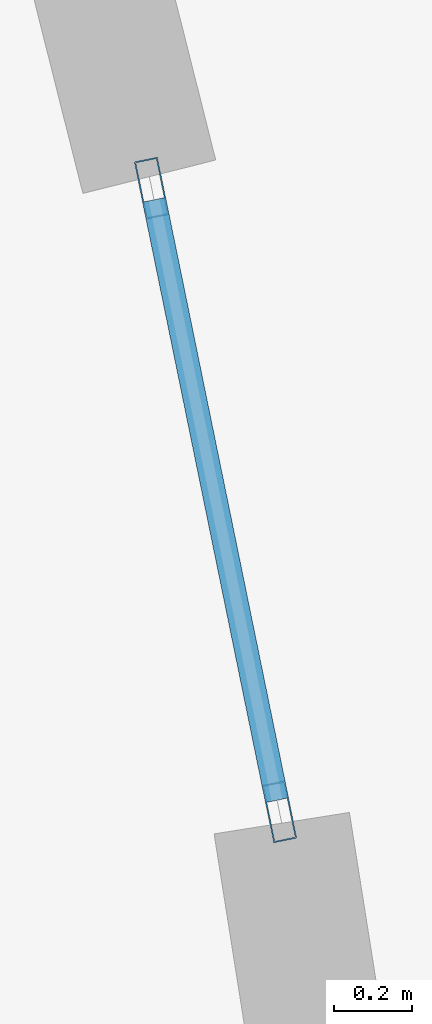
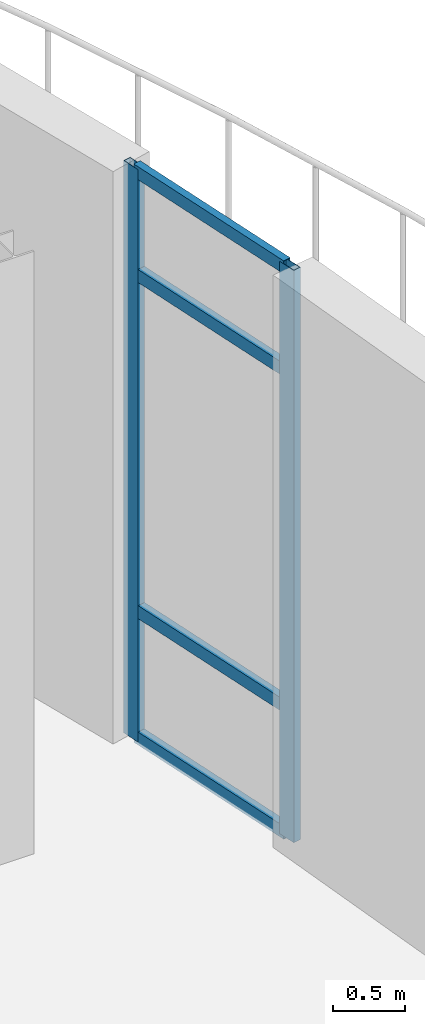
# One storey, part 28 of 57: 6 members, 1 element without a shape of its own.
"""IFC4 building model written with IfcOpenShell, lengths in metres."""

from ifc_helpers import new_model, si_unit, direction, frame, origin, origin_2d, place, context, subcontext, project, spatial, hollow_rectangle, extrude, material, layer, layer_set, material_profile, profile_set, type_object, element, aggregate, save


model = new_model("IFC4")

# Units and contexts
model_context = context("Model", 3, precision=1e-05, world=origin(), true_north=direction((0.0, 1.0)))
body_context = subcontext(model_context, "Body", "Model", "MODEL_VIEW")
ifc_project = project(units=[si_unit("LENGTHUNIT", "METRE"), si_unit("AREAUNIT", "SQUARE_METRE"), si_unit("VOLUMEUNIT", "CUBIC_METRE"), si_unit("PLANEANGLEUNIT", "RADIAN"), si_unit("MASSUNIT", "GRAM", prefix="KILO"), si_unit("THERMODYNAMICTEMPERATUREUNIT", "KELVIN")], contexts=[model_context])

# Site, building, storey
site_placement = place(None, origin())
site = spatial("IfcSite", under=ifc_project, at=site_placement, CompositionType="ELEMENT")
building_placement = place(site_placement, origin())
building = spatial("IfcBuilding", under=site, at=building_placement, Name="Lustrewick Department Store", CompositionType="ELEMENT")
storey_placement = place(building_placement, frame((0.0, 0.0, 26.699951171875)))
storey = spatial("IfcBuildingStorey", under=building, at=storey_placement, Name="L06", CompositionType="ELEMENT", Elevation=26.699951171875)

# Curtain wall, members
ifc_material = material(Name="Thermally broken aluminium 6063-T5", Category="aluminium")
ifc_layer = layer(ifc_material, 0.14990234375, Name="Thermally broken aluminium 6063-T5")
ifc_layer_set = layer_set([ifc_layer], Name="Thermally broken aluminium 6063-T5")
curtain_wall_type = type_object("IfcCurtainWallType", Name="CW14", PredefinedType="NOTDEFINED", material=ifc_layer_set)
curtain_wall_placement = place(storey_placement, origin())
curtain_wall = element("IfcCurtainWall", 1, at=curtain_wall_placement, inside=storey, type_object=curtain_wall_type, Name="L06 V4 Curtain Wall CW14", PredefinedType="NOTDEFINED")
ifc_material_profile_1 = material_profile(ifc_material, hollow_rectangle(XDim=0.06005859375, YDim=0.14990234375, WallThickness=0.00341796875, at=origin_2d()), Name="ALU-M 60x150x3.5")
ifc_profile_set_1 = profile_set([ifc_material_profile_1], Name="Thermally broken aluminium 6063-T5")
member_type_1 = type_object("IfcMemberType", Name="CW14-M1", PredefinedType="MULLION", material=ifc_profile_set_1)
member_1_placement = place(storey_placement, frame((152.98974609375, 66.343017578125, 0.0), z_axis=(0.0, 0.0, 1.0), x_axis=(-0.979672336198, -0.200604371061, 0.0)))
member_1 = element("IfcMember", 2, at=member_1_placement, type_object=member_type_1, Name="CW14 mullion 1", PredefinedType="MULLION", context=body_context, shape_type="SweptSolid", body=[
    extrude(hollow_rectangle(XDim=0.06005859375, YDim=0.14990234375, WallThickness=0.00341796875, at=origin_2d()), origin(), (0.0, 0.0, 1.0), 4.844970703125),
])
member_2_placement = place(storey_placement, frame((152.663330078125, 67.9375, 0.0), z_axis=(0.0, 0.0, 1.0), x_axis=(-0.979672336198, -0.200604371061, 0.0)))
member_2 = element("IfcMember", 3, at=member_2_placement, type_object=member_type_1, Name="CW14 mullion 2", PredefinedType="MULLION", context=body_context, shape_type="SweptSolid", body=[
    extrude(hollow_rectangle(XDim=0.06005859375, YDim=0.14990234375, WallThickness=0.00341796875, at=origin_2d()), origin(), (0.0, 0.0, 1.0), 4.844970703125),
])
ifc_material_profile_2 = material_profile(ifc_material, hollow_rectangle(XDim=0.06005859375, YDim=0.110107421875, WallThickness=0.0029296875, at=origin_2d()), Name="ALU-T 60x110x3")
ifc_profile_set_2 = profile_set([ifc_material_profile_2], Name="Thermally broken aluminium 6063-T5")
member_type_2 = type_object("IfcMemberType", Name="CW14-T1", PredefinedType="USERDEFINED", material=ifc_profile_set_2)
member_3_placement = place(storey_placement, frame((152.983642578125, 66.37255859375, 0.030029296875), z_axis=(-0.200487988287, 0.979696160324, 0.0), x_axis=(-0.979696160324, -0.200487988287, 0.0)))
member_3 = element("IfcMember", 4, at=member_3_placement, type_object=member_type_2, Name="CW14 transom 1.1", ObjectType="TRANSOM", PredefinedType="USERDEFINED", context=body_context, shape_type="SweptSolid", body=[
    extrude(hollow_rectangle(XDim=0.06005859375, YDim=0.110107421875, WallThickness=0.0029296875, at=origin_2d()), origin(), (0.0, 0.0, 1.0), 1.567138671875),
])
member_4_placement = place(storey_placement, frame((152.983642578125, 66.37255859375, 1.10009765625), z_axis=(-0.200487988287, 0.979696160324, 0.0), x_axis=(-0.979696160324, -0.200487988287, 0.0)))
member_4 = element("IfcMember", 5, at=member_4_placement, type_object=member_type_2, Name="CW14 transom 1.2", ObjectType="TRANSOM", PredefinedType="USERDEFINED", context=body_context, shape_type="SweptSolid", body=[
    extrude(hollow_rectangle(XDim=0.06005859375, YDim=0.110107421875, WallThickness=0.0029296875, at=origin_2d()), origin(), (0.0, 0.0, 1.0), 1.567138671875),
])
member_5_placement = place(storey_placement, frame((152.983642578125, 66.37255859375, 3.945068359375), z_axis=(-0.200487988287, 0.979696160324, 0.0), x_axis=(-0.979696160324, -0.200487988287, 0.0)))
member_5 = element("IfcMember", 6, at=member_5_placement, type_object=member_type_2, Name="CW14 transom 1.3", ObjectType="TRANSOM", PredefinedType="USERDEFINED", context=body_context, shape_type="SweptSolid", body=[
    extrude(hollow_rectangle(XDim=0.06005859375, YDim=0.110107421875, WallThickness=0.0029296875, at=origin_2d()), origin(), (0.0, 0.0, 1.0), 1.567138671875),
])
member_6_placement = place(storey_placement, frame((152.983642578125, 66.37255859375, 4.81494140625), z_axis=(-0.200487988287, 0.979696160324, 0.0), x_axis=(-0.979696160324, -0.200487988287, 0.0)))
member_6 = element("IfcMember", 7, at=member_6_placement, type_object=member_type_2, Name="CW14 transom 1.4", ObjectType="TRANSOM", PredefinedType="USERDEFINED", context=body_context, shape_type="SweptSolid", body=[
    extrude(hollow_rectangle(XDim=0.06005859375, YDim=0.110107421875, WallThickness=0.0029296875, at=origin_2d()), origin(), (0.0, 0.0, 1.0), 1.567138671875),
])
aggregate(curtain_wall, [member_1, member_2, member_3, member_4, member_5, member_6])

save(model, "model.ifc")
